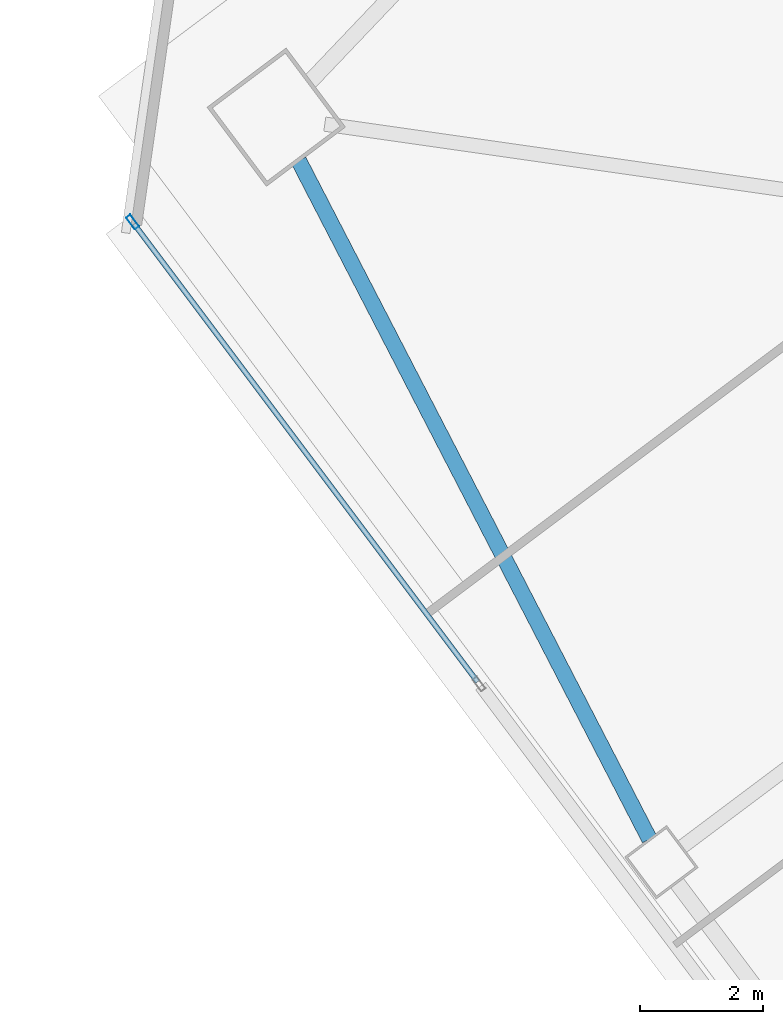
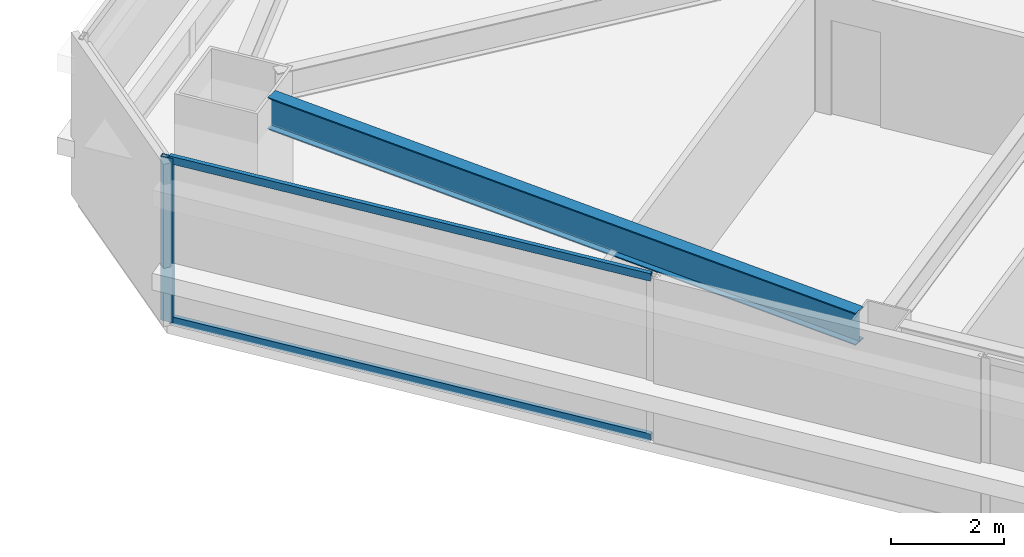
# One storey, part 19 of 45: 3 members, 1 beam, 1 element without a shape of its own.
"""IFC4 building model written with IfcOpenShell, lengths in metres."""

from ifc_helpers import new_model, si_unit, direction, frame, origin, origin_2d, place, context, subcontext, project, spatial, hollow_rectangle, i_section, extrude, material, material_profile, profile_set, type_object, element, aggregate, save


model = new_model("IFC4")

# Units and contexts
model_context = context("Model", 3, precision=1e-05, world=origin(), true_north=direction((0.0, 1.0)))
body_context = subcontext(model_context, "Body", "Model", "MODEL_VIEW")
ifc_project = project(units=[si_unit("LENGTHUNIT", "METRE"), si_unit("AREAUNIT", "SQUARE_METRE"), si_unit("VOLUMEUNIT", "CUBIC_METRE"), si_unit("PLANEANGLEUNIT", "RADIAN"), si_unit("MASSUNIT", "GRAM", prefix="KILO")], contexts=[model_context])

# Site, building, storey
site_placement = place(None, origin())
site = spatial("IfcSite", under=ifc_project, at=site_placement, CompositionType="ELEMENT")
building_placement = place(site_placement, origin())
building = spatial("IfcBuilding", under=site, at=building_placement, Name="Tashvorn Skyway Center", CompositionType="ELEMENT")
storey_placement = place(building_placement, frame((0.0, 0.0, 35.25)))
storey = spatial("IfcBuildingStorey", under=building, at=storey_placement, Name="L08", CompositionType="ELEMENT", Elevation=35.25)

# Beam
ifc_material_1 = material(Name="Steel ASTM A992 Grade 50", Category="steel")
ifc_material_profile_1 = material_profile(ifc_material_1, i_section(OverallWidth=0.256103515625, OverallDepth=0.693115234375, WebThickness=0.014404296875, FlangeThickness=0.023681640625, at=origin_2d()), Name="W27X114")
ifc_profile_set_1 = profile_set([ifc_material_profile_1], Name="Steel ASTM A992 Grade 50")
beam_type = type_object("IfcBeamType", Name="BM-SPANDREL-W27X114", PredefinedType="SPANDREL", material=ifc_profile_set_1)
beam_placement = place(storey_placement, frame((88.045166015625, 35.0537109375, 3.00341796875), z_axis=(0.459233413919, -0.888315637339, 0.0), x_axis=(0.888315637339, 0.459233413919, 0.0)))
element("IfcBeam", 1, at=beam_placement, inside=storey, type_object=beam_type, Name="Tower 2 L08 Spandrel Beam 10", PredefinedType="SPANDREL", context=body_context, shape_type="SweptSolid", body=[
    extrude(i_section(OverallWidth=0.256103515625, OverallDepth=0.693115234375, WebThickness=0.014404296875, FlangeThickness=0.023681640625, at=origin_2d()), origin(), (0.0, 0.0, 1.0), 12.37255859375),
])

# Curtain wall, members
ifc_material_2 = material(Name="Thermally broken bronze-anodized aluminium 6063-T6", Category="aluminium")
curtain_wall_type = type_object("IfcCurtainWallType", Name="CW-CW-Z1", PredefinedType="NOTDEFINED", material=ifc_material_2)
curtain_wall_placement = place(storey_placement, origin())
curtain_wall = element("IfcCurtainWall", 2, at=curtain_wall_placement, inside=storey, type_object=curtain_wall_type, Name="Tower 2 L08 West Unitised Curtain Wall Glazing Group 3", PredefinedType="NOTDEFINED")
ifc_material_profile_2 = material_profile(ifc_material_2, hollow_rectangle(XDim=0.0849609375, YDim=0.239990234375, WallThickness=0.0048828125, at=origin_2d()), Name="ALU-MULL-85x240")
ifc_profile_set_2 = profile_set([ifc_material_profile_2], Name="Thermally broken bronze-anodized aluminium 6063-T6")
member_type_1 = type_object("IfcMemberType", Name="CWM-CW-Z1", PredefinedType="MULLION", material=ifc_profile_set_2)
member_1_placement = place(storey_placement, frame((85.353515625, 34.06201171875, 0.0), z_axis=(0.0, 0.0, 1.0), x_axis=(-0.799999999998, -0.600000000002, 0.0)))
member_1 = element("IfcMember", 3, at=member_1_placement, type_object=member_type_1, Name="CW-Z1 mullion 2", PredefinedType="MULLION", context=body_context, shape_type="SweptSolid", body=[
    extrude(hollow_rectangle(XDim=0.0849609375, YDim=0.239990234375, WallThickness=0.0048828125, at=origin_2d()), origin(), (0.0, 0.0, 1.0), 3.550048828125),
])
ifc_material_profile_3 = material_profile(ifc_material_2, hollow_rectangle(XDim=0.0849609375, YDim=0.1650390625, WallThickness=0.0048828125, at=origin_2d()), Name="ALU-TRAN-85x165")
ifc_profile_set_3 = profile_set([ifc_material_profile_3], Name="Thermally broken bronze-anodized aluminium 6063-T6")
member_type_2 = type_object("IfcMemberType", Name="CWT-CW-Z1", PredefinedType="USERDEFINED", material=ifc_profile_set_3)
member_2_placement = place(storey_placement, frame((90.94091796875, 26.612060546875, 0.04248046875), z_axis=(-0.6, 0.8, 0.0), x_axis=(-0.8, -0.6, 0.0)))
member_2 = element("IfcMember", 4, at=member_2_placement, type_object=member_type_2, Name="CW-Z1 transom 1.1", ObjectType="TRANSOM", PredefinedType="USERDEFINED", context=body_context, shape_type="SweptSolid", body=[
    extrude(hollow_rectangle(XDim=0.0849609375, YDim=0.1650390625, WallThickness=0.0048828125, at=origin_2d()), origin(), (0.0, 0.0, 1.0), 9.27001953125),
])
member_3_placement = place(storey_placement, frame((90.94091796875, 26.612060546875, 3.507568359375), z_axis=(-0.6, 0.8, 0.0), x_axis=(-0.8, -0.6, 0.0)))
member_3 = element("IfcMember", 5, at=member_3_placement, type_object=member_type_2, Name="CW-Z1 transom 1.2", ObjectType="TRANSOM", PredefinedType="USERDEFINED", context=body_context, shape_type="SweptSolid", body=[
    extrude(hollow_rectangle(XDim=0.0849609375, YDim=0.1650390625, WallThickness=0.0048828125, at=origin_2d()), origin(), (0.0, 0.0, 1.0), 9.27001953125),
])
aggregate(curtain_wall, [member_1, member_2, member_3])

save(model, "model.ifc")
